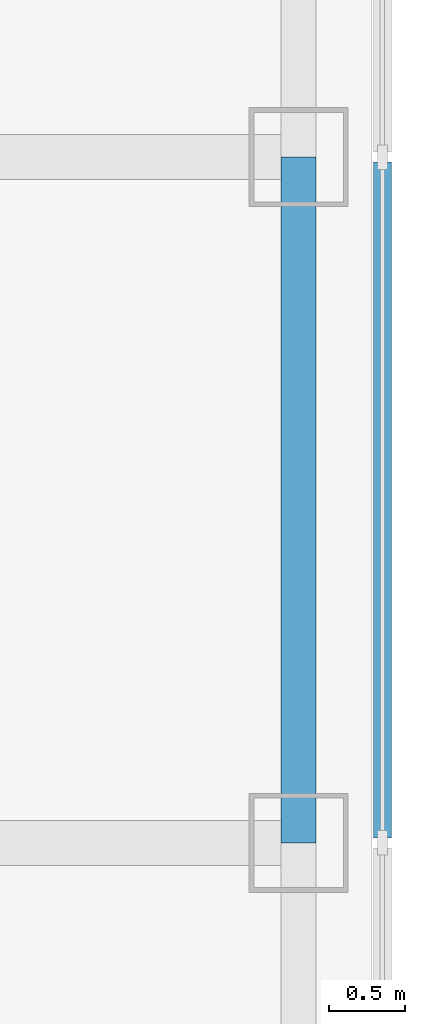
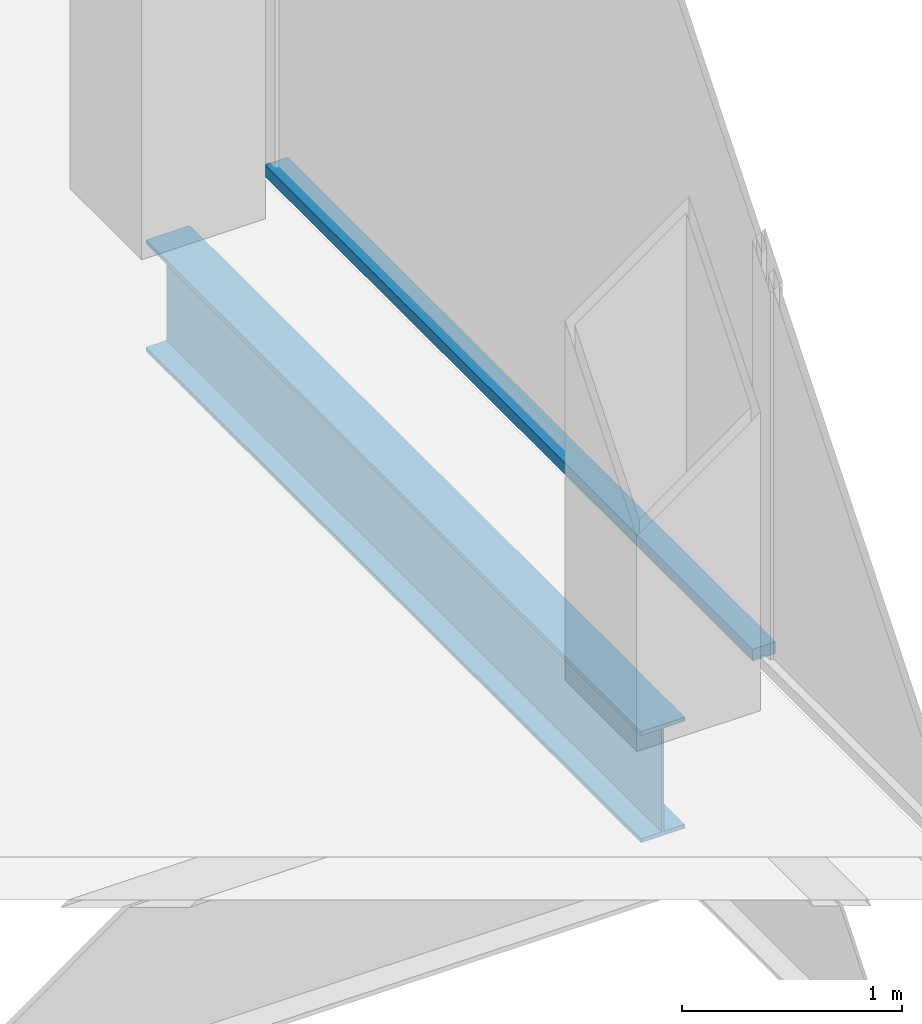
# One storey, part 5 of 14: 1 beam, 1 member, 1 element without a shape of its own.
"""IFC4 building model written with IfcOpenShell, lengths in metres."""

import ifcopenshell
import ifcopenshell.guid

model = None  # the IFC model being written
_history = None  # IfcOwnerHistory: only IFC2X3 demands one
_inside = {}  # id of a spatial element -> (the spatial element, [elements in it])
_under = {}  # id of a project, library or spatial element -> (it, [spatial elements below it])
_declared = {}  # id of a project -> (the project, [libraries it declares])
_typed = {}  # id of a type object -> (the type object, [elements of that type])
_made_of = {}  # id of a material, layer set ... -> (it, [elements and type objects made of it])


def new_model(schema):
    """Start an empty IFC model of exactly this schema.

    Asked for "IFC4X3", IfcOpenShell would pick the latest addendum, in which some entities
    have other attributes; the version numbers below select the first issue.
    IFC2X3 requires an IfcOwnerHistory on every rooted entity: one is made here for all.
    """
    global model, _history
    if schema == "IFC4X3":
        model = ifcopenshell.file(schema_version=(4, 3, 0, 0))
    else:
        model = ifcopenshell.file(schema=schema)
    _inside.clear()
    _under.clear()
    _declared.clear()
    _typed.clear()
    _made_of.clear()
    _history = None
    if model.schema == "IFC2X3":
        org = make("IfcOrganization", Name="unknown")
        user = make(
            "IfcPersonAndOrganization",
            ThePerson=make("IfcPerson", FamilyName="unknown"),
            TheOrganization=org,
        )
        app = make(
            "IfcApplication",
            ApplicationDeveloper=org,
            Version="unknown",
            ApplicationFullName="unknown",
            ApplicationIdentifier="unknown",
        )
        _history = make(
            "IfcOwnerHistory",
            OwningUser=user,
            OwningApplication=app,
            ChangeAction="ADDED",
            CreationDate=0,
        )
    return model


def make(cls, **values):
    """One entity of the class cls with the attributes given. An attribute that is None is left unset."""
    return model.create_entity(
        cls, **{name: value for name, value in values.items() if value is not None}
    )


def rooted(cls, **values):
    """An entity with a GlobalId (a new one), such as an element, a storey or a relation."""
    return make(cls, GlobalId=ifcopenshell.guid.new(), OwnerHistory=_history, **values)


def si_unit(unit_type, name, prefix=None):
    """IfcSIUnit, for example si_unit("LENGTHUNIT", "METRE", prefix="MILLI")."""
    return make("IfcSIUnit", UnitType=unit_type, Prefix=prefix, Name=name)


def assignment(units):
    """IfcUnitAssignment: the units of a project."""
    return None if units is None else make("IfcUnitAssignment", Units=units)


def point(xyz):
    """IfcCartesianPoint."""
    return None if xyz is None else make("IfcCartesianPoint", Coordinates=xyz)


def direction(xyz):
    """IfcDirection."""
    return None if xyz is None else make("IfcDirection", DirectionRatios=xyz)


def frame(location, z_axis=None, x_axis=None):
    """IfcAxis2Placement3D, a coordinate frame: its origin and axes. An axis left out is left unset."""
    return make(
        "IfcAxis2Placement3D",
        Location=point(location),
        Axis=direction(z_axis),
        RefDirection=direction(x_axis),
    )


def frame_2d(location, x_axis=None):
    """IfcAxis2Placement2D, a coordinate frame in the plane: its origin and x axis."""
    return make(
        "IfcAxis2Placement2D", Location=point(location), RefDirection=direction(x_axis)
    )


def origin():
    """The frame at (0, 0, 0) with its axes left unset."""
    return frame((0.0, 0.0, 0.0))


def origin_2d():
    """The frame at (0, 0) in the plane with its x axis left unset."""
    return frame_2d((0.0, 0.0))


def place(relative_to, where):
    """IfcLocalPlacement: puts the frame where relative to a parent placement (None: the world)."""
    return make(
        "IfcLocalPlacement", PlacementRelTo=relative_to, RelativePlacement=where
    )


def context(
    kind, dimensions, precision=None, world=None, true_north=None, identifier=None
):
    """IfcGeometricRepresentationContext, for example the 3D "Model" context."""
    return make(
        "IfcGeometricRepresentationContext",
        ContextIdentifier=identifier,
        ContextType=kind,
        CoordinateSpaceDimension=dimensions,
        Precision=precision,
        WorldCoordinateSystem=world,
        TrueNorth=true_north,
    )


def subcontext(parent, identifier, kind, view, scale=None):
    """IfcGeometricRepresentationSubContext, for example "Body" below "Model"."""
    return make(
        "IfcGeometricRepresentationSubContext",
        ContextIdentifier=identifier,
        ContextType=kind,
        ParentContext=parent,
        TargetScale=scale,
        TargetView=view,
    )


def project(units=None, contexts=None):
    """IfcProject with its units and contexts."""
    return rooted(
        "IfcProject",
        Name="project",
        RepresentationContexts=contexts,
        UnitsInContext=assignment(units),
    )


def spatial(cls, under=None, at=None, **own):
    """A site, building, storey or space (cls), placed at a placement, below another one or the project."""
    s = rooted(cls, ObjectPlacement=at, **own)
    if under is not None:
        _under.setdefault(under.id(), (under, []))[1].append(s)
    return s


def profile(cls, at=None, kind="AREA", **sizes):
    """A parametric profile (cls). Its sizes go by their IFC names, for example OverallWidth=200.0."""
    return make(cls, ProfileType=kind, Position=at, **sizes)


def rectangle(**sizes):
    """IfcRectangleProfileDef."""
    return profile("IfcRectangleProfileDef", **sizes)


def i_section(**sizes):
    """IfcIShapeProfileDef."""
    return profile("IfcIShapeProfileDef", **sizes)


def extrude(swept, where, along, depth):
    """IfcExtrudedAreaSolid: the profile swept, set in the frame where, extruded along a direction by depth."""
    return make(
        "IfcExtrudedAreaSolid",
        SweptArea=swept,
        Position=where,
        ExtrudedDirection=direction(along),
        Depth=depth,
    )


def shape(context_of_items, identifier, shape_type, items):
    """IfcShapeRepresentation: the items that make up one representation, for example the "Body"."""
    return make(
        "IfcShapeRepresentation",
        ContextOfItems=context_of_items,
        RepresentationIdentifier=identifier,
        RepresentationType=shape_type,
        Items=items,
    )


def material(Name=None, Category=None):
    """IfcMaterial."""
    return make("IfcMaterial", Name=Name, Category=Category)


def material_profile(
    of_material, cross_section, Name=None, Category=None, Priority=None
):
    """IfcMaterialProfile: a cross section and its material."""
    return make(
        "IfcMaterialProfile",
        Name=Name,
        Material=of_material,
        Profile=cross_section,
        Priority=Priority,
        Category=Category,
    )


def profile_set(profiles, Name=None, composite=None):
    """IfcMaterialProfileSet."""
    return make(
        "IfcMaterialProfileSet",
        Name=Name,
        MaterialProfiles=profiles,
        CompositeProfile=composite,
    )


def made_of(thing, what):
    """Note that an element or type object is made of a material, layer set ...; save() writes the relation."""
    if what is not None:
        _made_of.setdefault(what.id(), (what, []))[1].append(thing)
    return thing


def type_object(cls, material=None, **own):
    """A type object (cls), such as IfcWallType, which elements share."""
    return made_of(rooted(cls, **own), material)


def element(
    cls,
    number,
    at=None,
    inside=None,
    cuts=None,
    type_object=None,
    material=None,
    context=None,
    identifier="Body",
    shape_type=None,
    held_by="IfcProductDefinitionShape",
    body=None,
    shapes=None,
    **own,
):
    """One element of the class cls, such as IfcWall. Its Tag is "e" and its number.

    at: its placement. inside: the storey or other place that contains it. cuts: it is an
    opening in that element (IfcRelVoidsElement). A single representation is given by context,
    identifier, shape_type and body (its items); several are given by shapes. held_by: the class
    of the entity that holds the representations. save() writes the other relations.
    """
    e = rooted(cls, Tag="e%d" % number, ObjectPlacement=at, **own)
    if body is not None:
        shapes = [shape(context, identifier, shape_type, body)]
    if shapes is not None:
        e.Representation = make(held_by, Representations=shapes)
    if inside is not None:
        _inside.setdefault(inside.id(), (inside, []))[1].append(e)
    if cuts is not None:
        rooted(
            "IfcRelVoidsElement", RelatingBuildingElement=cuts, RelatedOpeningElement=e
        )
    if type_object is not None:
        _typed.setdefault(type_object.id(), (type_object, []))[1].append(e)
    return made_of(e, material)


def aggregate(whole, parts):
    """IfcRelAggregates: a whole, such as a stair, and the parts it consists of."""
    return rooted("IfcRelAggregates", RelatingObject=whole, RelatedObjects=parts)


def save(model, path):
    """Write the relations noted so far, then the file.

    IfcRelAggregates (storeys below a building ...), IfcRelContainedInSpatialStructure (elements
    in a storey), IfcRelDefinesByType, IfcRelAssociatesMaterial and IfcRelDeclares: one each for
    every whole, place, type object, material and project.
    """
    for whole, parts in _under.values():
        aggregate(whole, parts)
    for where, things in _inside.values():
        rooted(
            "IfcRelContainedInSpatialStructure",
            RelatedElements=things,
            RelatingStructure=where,
        )
    for kind, things in _typed.values():
        rooted("IfcRelDefinesByType", RelatedObjects=things, RelatingType=kind)
    for what, things in _made_of.values():
        rooted("IfcRelAssociatesMaterial", RelatedObjects=things, RelatingMaterial=what)
    for by, libraries in _declared.values():
        rooted("IfcRelDeclares", RelatingContext=by, RelatedDefinitions=libraries)
    model.write(path)


model = new_model("IFC4")

# Units and contexts
model_context = context("Model", 3, precision=1e-05, world=origin(), true_north=direction((0.0, 1.0)))
body_context = subcontext(model_context, "Body", "Model", "MODEL_VIEW")
ifc_project = project(units=[si_unit("LENGTHUNIT", "METRE"), si_unit("AREAUNIT", "SQUARE_METRE"), si_unit("VOLUMEUNIT", "CUBIC_METRE"), si_unit("PLANEANGLEUNIT", "RADIAN"), si_unit("MASSUNIT", "GRAM", prefix="KILO")], contexts=[model_context])

# Site, building, storey
site_placement = place(None, origin())
site = spatial("IfcSite", under=ifc_project, at=site_placement, CompositionType="ELEMENT")
building_placement = place(site_placement, origin())
building = spatial("IfcBuilding", under=site, at=building_placement, Name="Corais Broadcast Tower", CompositionType="ELEMENT")
storey_placement = place(building_placement, frame((0.0, 0.0, 250.60009765625)))
storey = spatial("IfcBuildingStorey", under=building, at=storey_placement, Name="L58", CompositionType="ELEMENT", Elevation=250.60009765625)

# Beam
ifc_material_1 = material(Name="Steel ASTM A572 Grade 50", Category="steel")
ifc_material_profile_1 = material_profile(ifc_material_1, i_section(OverallWidth=0.22998046875, OverallDepth=0.616943359375, WebThickness=0.01318359375, FlangeThickness=0.022216796875, at=origin_2d()), Name="W610x140")
ifc_profile_set_1 = profile_set([ifc_material_profile_1], Name="Steel ASTM A572 Grade 50")
beam_type = type_object("IfcBeamType", Name="Spandrel W610x140", PredefinedType="BEAM", material=ifc_profile_set_1)
beam_placement = place(storey_placement, frame((54.0, 27.0, -0.468505859375), z_axis=(0.0, 1.0, 0.0), x_axis=(-1.0, 0.0, 0.0)))
element("IfcBeam", 1, at=beam_placement, inside=storey, type_object=beam_type, Name="SB3 G/15 to H/15", PredefinedType="BEAM", context=body_context, shape_type="SweptSolid", body=[
    extrude(i_section(OverallWidth=0.22998046875, OverallDepth=0.616943359375, WebThickness=0.01318359375, FlangeThickness=0.022216796875, at=origin_2d()), origin(), (0.0, 0.0, 1.0), 4.5),
])

# Curtain wall, member
ifc_material_2 = material(Name="Aluminium and glass", Category="aluminium")
curtain_wall_type = type_object("IfcCurtainWallType", Name="Unitised fritted curtain wall CW3", PredefinedType="NOTDEFINED", material=ifc_material_2)
curtain_wall_placement = place(storey_placement, origin())
curtain_wall = element("IfcCurtainWall", 2, at=curtain_wall_placement, inside=storey, type_object=curtain_wall_type, Name="CW3 curtain wall L58 6", PredefinedType="NOTDEFINED")
ifc_material_3 = material(Name="Aluminium 6063-T6", Category="aluminium")
ifc_material_profile_2 = material_profile(ifc_material_3, rectangle(XDim=0.1201171875, YDim=0.06494140625, at=origin_2d()), Name="Transom CW3 65x120")
ifc_profile_set_2 = profile_set([ifc_material_profile_2], Name="Aluminium 6063-T6")
member_type = type_object("IfcMemberType", Name="Transom CW3 65x120", PredefinedType="USERDEFINED", material=ifc_profile_set_2)
member_placement = place(storey_placement, frame((54.550048828125, 31.467529296875, 0.032470703125), z_axis=(0.0, -1.0, 0.0), x_axis=(1.0, 0.0, 0.0)))
member = element("IfcMember", 3, at=member_placement, type_object=member_type, Name="CW3 transom 3.1", ObjectType="TRANSOM", PredefinedType="USERDEFINED", context=body_context, shape_type="SweptSolid", body=[
    extrude(rectangle(XDim=0.1201171875, YDim=0.06494140625, at=origin_2d()), origin(), (0.0, 0.0, 1.0), 4.43505859375),
])
aggregate(curtain_wall, [member])

save(model, "model.ifc")
